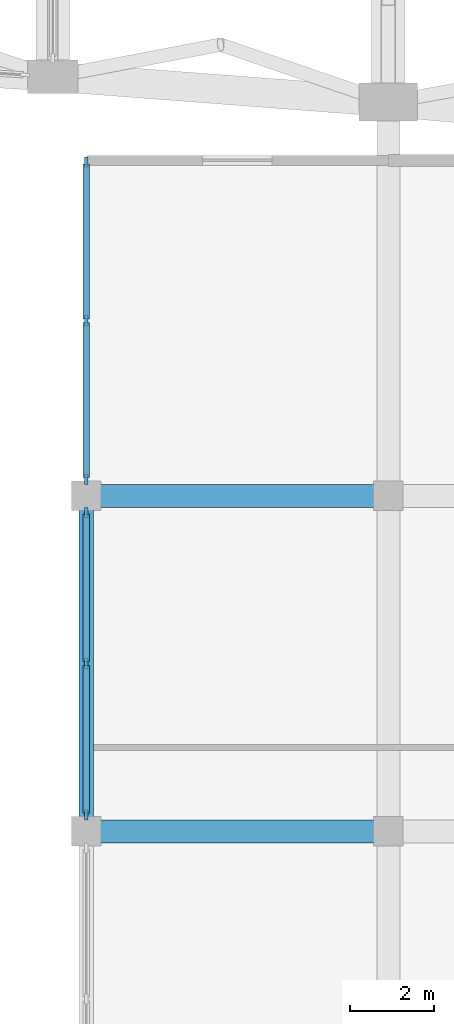
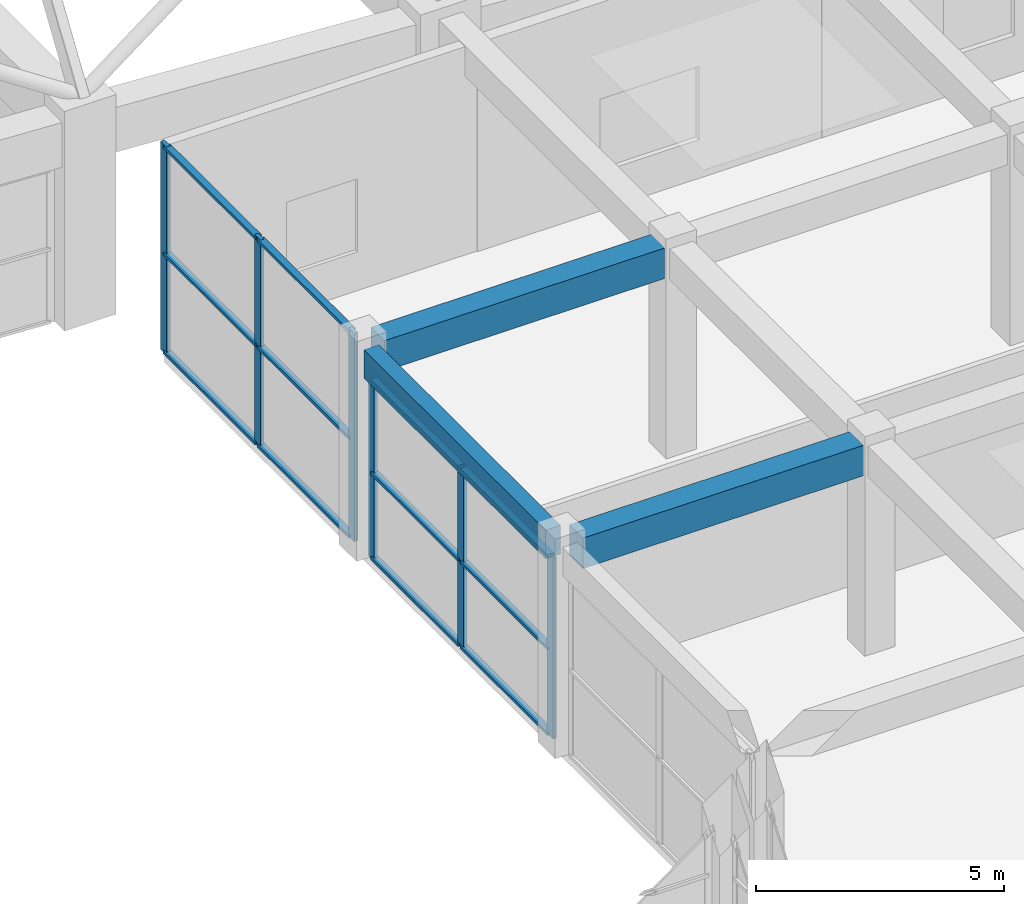
# One storey, part 19 of 69: 18 members, 3 beams, 2 elements without a shape of their own.
"""IFC4 building model written with IfcOpenShell, lengths in metres."""

from ifc_helpers import new_model, si_unit, direction, frame, origin, origin_2d, place, context, subcontext, project, spatial, rectangle, extrude, material, material_profile, profile_set, type_object, element, aggregate, save


model = new_model("IFC4")

# Units and contexts
model_context = context("Model", 3, precision=1e-05, world=origin(), true_north=direction((0.0, 1.0)))
body_context = subcontext(model_context, "Body", "Model", "MODEL_VIEW")
ifc_project = project(units=[si_unit("LENGTHUNIT", "METRE"), si_unit("AREAUNIT", "SQUARE_METRE"), si_unit("VOLUMEUNIT", "CUBIC_METRE"), si_unit("PLANEANGLEUNIT", "RADIAN"), si_unit("MASSUNIT", "GRAM", prefix="KILO")], contexts=[model_context])

# Site, building, storey
site_placement = place(None, origin())
site = spatial("IfcSite", under=ifc_project, at=site_placement, CompositionType="ELEMENT")
building_placement = place(site_placement, origin())
building = spatial("IfcBuilding", under=site, at=building_placement, Name="Kenh Van Central Station", CompositionType="ELEMENT")
storey_placement = place(building_placement, frame((0.0, 0.0, 5.39990234375)))
storey = spatial("IfcBuildingStorey", under=building, at=storey_placement, Name="L01", CompositionType="ELEMENT", Elevation=5.39990234375)

# Beams
ifc_material_1 = material(Name="Concrete C35/45", Category="concrete")
ifc_material_profile_1 = material_profile(ifc_material_1, rectangle(XDim=0.550048828125, YDim=0.75, at=origin_2d()), Name="RC 550x750")
ifc_profile_set_1 = profile_set([ifc_material_profile_1], Name="Concrete C35/45")
beam_type_1 = type_object("IfcBeamType", Name="BM-RC-550x750", PredefinedType="BEAM", material=ifc_profile_set_1)
for number, where, z_axis, x_axis, name in (
    (1, (121.139892578125, 48.0, 4.76513671875), (1.0, 0.0, 0.0), (0.0, 1.0, 0.0), "L01 beam 0717"),
    (2, (121.139892578125, 56.0, 4.76513671875), (1.0, 0.0, 0.0), (0.0, 1.0, 0.0), "L01 beam 0732"),
):
    element("IfcBeam", number, at=place(storey_placement, frame(where, z_axis=z_axis, x_axis=x_axis)), inside=storey, type_object=beam_type_1, Name=name, PredefinedType="BEAM", context=body_context, shape_type="SweptSolid", body=[
        extrude(rectangle(XDim=0.550048828125, YDim=0.75, at=origin_2d()), origin(), (0.0, 0.0, 1.0), 6.52001953125),
    ])

# Curtain wall, members
ifc_material_2 = material(Name="Champagne anodised aluminium", Category="aluminium")
curtain_wall_type = type_object("IfcCurtainWallType", Name="CW-OPER-B", PredefinedType="NOTDEFINED", material=ifc_material_2)
curtain_wall_1_placement = place(storey_placement, origin())
curtain_wall_1 = element("IfcCurtainWall", 3, at=curtain_wall_1_placement, inside=storey, type_object=curtain_wall_type, Name="L01 curtain wall 152", PredefinedType="NOTDEFINED")
ifc_material_profile_2 = material_profile(ifc_material_2, rectangle(XDim=0.087890625, YDim=0.239990234375, at=origin_2d()), Name="AL 88x240")
ifc_profile_set_2 = profile_set([ifc_material_profile_2], Name="Champagne anodised aluminium")
member_type_1 = type_object("IfcMemberType", Name="CWM-60x140", PredefinedType="MULLION", material=ifc_profile_set_2)
member_1_placement = place(storey_placement, frame((120.800048828125, 63.9560546875, 0.0), z_axis=(0.0, 0.0, 1.0), x_axis=(1.0, 0.0, 0.0)))
member_1 = element("IfcMember", 4, at=member_1_placement, type_object=member_type_1, Name="CW-08 mullion 1", PredefinedType="MULLION", context=body_context, shape_type="SweptSolid", body=[
    extrude(rectangle(XDim=0.087890625, YDim=0.239990234375, at=origin_2d()), origin(), (0.0, 0.0, 1.0), 5.1201171875),
])
member_2_placement = place(storey_placement, frame((120.800048828125, 60.175048828125, 0.0), z_axis=(0.0, 0.0, 1.0), x_axis=(1.0, 0.0, 0.0)))
member_2 = element("IfcMember", 5, at=member_2_placement, type_object=member_type_1, Name="CW-08 mullion 2", PredefinedType="MULLION", context=body_context, shape_type="SweptSolid", body=[
    extrude(rectangle(XDim=0.087890625, YDim=0.239990234375, at=origin_2d()), origin(), (0.0, 0.0, 1.0), 5.1201171875),
])
member_3_placement = place(storey_placement, frame((120.800048828125, 56.39404296875, 0.0), z_axis=(0.0, 0.0, 1.0), x_axis=(1.0, 0.0, 0.0)))
member_3 = element("IfcMember", 6, at=member_3_placement, type_object=member_type_1, Name="CW-08 mullion 3", PredefinedType="MULLION", context=body_context, shape_type="SweptSolid", body=[
    extrude(rectangle(XDim=0.087890625, YDim=0.239990234375, at=origin_2d()), origin(), (0.0, 0.0, 1.0), 5.1201171875),
])

curtain_wall_2_placement = place(storey_placement, origin())
curtain_wall_2 = element("IfcCurtainWall", 7, at=curtain_wall_2_placement, inside=storey, type_object=curtain_wall_type, Name="L01 curtain wall 153", PredefinedType="NOTDEFINED")
member_4_placement = place(storey_placement, frame((120.800048828125, 55.60595703125, 0.0), z_axis=(0.0, 0.0, 1.0), x_axis=(1.0, 0.0, 0.0)))
member_4 = element("IfcMember", 8, at=member_4_placement, type_object=member_type_1, Name="CW-08 mullion 1", PredefinedType="MULLION", context=body_context, shape_type="SweptSolid", body=[
    extrude(rectangle(XDim=0.087890625, YDim=0.239990234375, at=origin_2d()), origin(), (0.0, 0.0, 1.0), 4.440185546875),
])
member_5_placement = place(storey_placement, frame((120.800048828125, 52.0, 0.0), z_axis=(0.0, 0.0, 1.0), x_axis=(1.0, 0.0, 0.0)))
member_5 = element("IfcMember", 9, at=member_5_placement, type_object=member_type_1, Name="CW-08 mullion 2", PredefinedType="MULLION", context=body_context, shape_type="SweptSolid", body=[
    extrude(rectangle(XDim=0.087890625, YDim=0.239990234375, at=origin_2d()), origin(), (0.0, 0.0, 1.0), 4.440185546875),
])
member_6_placement = place(storey_placement, frame((120.800048828125, 48.39404296875, 0.0), z_axis=(0.0, 0.0, 1.0), x_axis=(1.0, 0.0, 0.0)))
member_6 = element("IfcMember", 10, at=member_6_placement, type_object=member_type_1, Name="CW-08 mullion 3", PredefinedType="MULLION", context=body_context, shape_type="SweptSolid", body=[
    extrude(rectangle(XDim=0.087890625, YDim=0.239990234375, at=origin_2d()), origin(), (0.0, 0.0, 1.0), 4.440185546875),
])

# Member
ifc_material_profile_3 = material_profile(ifc_material_2, rectangle(XDim=0.155029296875, YDim=0.072021484375, at=origin_2d()), Name="AL 155x72")
ifc_profile_set_3 = profile_set([ifc_material_profile_3], Name="Champagne anodised aluminium")
member_type_2 = type_object("IfcMemberType", Name="CWT-120x60", PredefinedType="USERDEFINED", material=ifc_profile_set_3)
member_7_placement = place(storey_placement, frame((120.800048828125, 63.912109375, 0.0361328125), z_axis=(0.0, -1.0, 0.0), x_axis=(1.0, 0.0, 0.0)))
member_7 = element("IfcMember", 11, at=member_7_placement, type_object=member_type_2, Name="CW-08 transom 1.1", ObjectType="TRANSOM", PredefinedType="USERDEFINED", context=body_context, shape_type="SweptSolid", body=[
    extrude(rectangle(XDim=0.155029296875, YDim=0.072021484375, at=origin_2d()), origin(), (0.0, 0.0, 1.0), 3.693115234375),
])

member_8_placement = place(storey_placement, frame((120.800048828125, 63.912109375, 2.457763671875), z_axis=(0.0, -1.0, 0.0), x_axis=(1.0, 0.0, 0.0)))
member_8 = element("IfcMember", 12, at=member_8_placement, type_object=member_type_2, Name="CW-08 transom 1.2", ObjectType="TRANSOM", PredefinedType="USERDEFINED", context=body_context, shape_type="SweptSolid", body=[
    extrude(rectangle(XDim=0.155029296875, YDim=0.072021484375, at=origin_2d()), origin(), (0.0, 0.0, 1.0), 3.693115234375),
])

member_9_placement = place(storey_placement, frame((120.800048828125, 63.912109375, 5.083984375), z_axis=(0.0, -1.0, 0.0), x_axis=(1.0, 0.0, 0.0)))
member_9 = element("IfcMember", 13, at=member_9_placement, type_object=member_type_2, Name="CW-08 transom 1.3", ObjectType="TRANSOM", PredefinedType="USERDEFINED", context=body_context, shape_type="SweptSolid", body=[
    extrude(rectangle(XDim=0.155029296875, YDim=0.072021484375, at=origin_2d()), origin(), (0.0, 0.0, 1.0), 3.693115234375),
])

member_10_placement = place(storey_placement, frame((120.800048828125, 60.131103515625, 0.0361328125), z_axis=(0.0, -1.0, 0.0), x_axis=(1.0, 0.0, 0.0)))
member_10 = element("IfcMember", 14, at=member_10_placement, type_object=member_type_2, Name="CW-08 transom 2.1", ObjectType="TRANSOM", PredefinedType="USERDEFINED", context=body_context, shape_type="SweptSolid", body=[
    extrude(rectangle(XDim=0.155029296875, YDim=0.072021484375, at=origin_2d()), origin(), (0.0, 0.0, 1.0), 3.693115234375),
])

member_11_placement = place(storey_placement, frame((120.800048828125, 60.131103515625, 2.457763671875), z_axis=(0.0, -1.0, 0.0), x_axis=(1.0, 0.0, 0.0)))
member_11 = element("IfcMember", 15, at=member_11_placement, type_object=member_type_2, Name="CW-08 transom 2.2", ObjectType="TRANSOM", PredefinedType="USERDEFINED", context=body_context, shape_type="SweptSolid", body=[
    extrude(rectangle(XDim=0.155029296875, YDim=0.072021484375, at=origin_2d()), origin(), (0.0, 0.0, 1.0), 3.693115234375),
])

member_12_placement = place(storey_placement, frame((120.800048828125, 60.131103515625, 5.083984375), z_axis=(0.0, -1.0, 0.0), x_axis=(1.0, 0.0, 0.0)))
member_12 = element("IfcMember", 16, at=member_12_placement, type_object=member_type_2, Name="CW-08 transom 2.3", ObjectType="TRANSOM", PredefinedType="USERDEFINED", context=body_context, shape_type="SweptSolid", body=[
    extrude(rectangle(XDim=0.155029296875, YDim=0.072021484375, at=origin_2d()), origin(), (0.0, 0.0, 1.0), 3.693115234375),
])

aggregate(curtain_wall_1, [member_1, member_2, member_3, member_7, member_8, member_9, member_10, member_11, member_12])

member_13_placement = place(storey_placement, frame((120.800048828125, 55.56201171875, 0.0361328125), z_axis=(0.0, -1.0, 0.0), x_axis=(1.0, 0.0, 0.0)))
member_13 = element("IfcMember", 17, at=member_13_placement, type_object=member_type_2, Name="CW-08 transom 1.1", ObjectType="TRANSOM", PredefinedType="USERDEFINED", context=body_context, shape_type="SweptSolid", body=[
    extrude(rectangle(XDim=0.155029296875, YDim=0.072021484375, at=origin_2d()), origin(), (0.0, 0.0, 1.0), 3.51806640625),
])

member_14_placement = place(storey_placement, frame((120.800048828125, 55.56201171875, 2.13134765625), z_axis=(0.0, -1.0, 0.0), x_axis=(1.0, 0.0, 0.0)))
member_14 = element("IfcMember", 18, at=member_14_placement, type_object=member_type_2, Name="CW-08 transom 1.2", ObjectType="TRANSOM", PredefinedType="USERDEFINED", context=body_context, shape_type="SweptSolid", body=[
    extrude(rectangle(XDim=0.155029296875, YDim=0.072021484375, at=origin_2d()), origin(), (0.0, 0.0, 1.0), 3.51806640625),
])

member_15_placement = place(storey_placement, frame((120.800048828125, 55.56201171875, 4.404052734375), z_axis=(0.0, -1.0, 0.0), x_axis=(1.0, 0.0, 0.0)))
member_15 = element("IfcMember", 19, at=member_15_placement, type_object=member_type_2, Name="CW-08 transom 1.3", ObjectType="TRANSOM", PredefinedType="USERDEFINED", context=body_context, shape_type="SweptSolid", body=[
    extrude(rectangle(XDim=0.155029296875, YDim=0.072021484375, at=origin_2d()), origin(), (0.0, 0.0, 1.0), 3.51806640625),
])

member_16_placement = place(storey_placement, frame((120.800048828125, 51.9560546875, 0.0361328125), z_axis=(0.0, -1.0, 0.0), x_axis=(1.0, 0.0, 0.0)))
member_16 = element("IfcMember", 20, at=member_16_placement, type_object=member_type_2, Name="CW-08 transom 2.1", ObjectType="TRANSOM", PredefinedType="USERDEFINED", context=body_context, shape_type="SweptSolid", body=[
    extrude(rectangle(XDim=0.155029296875, YDim=0.072021484375, at=origin_2d()), origin(), (0.0, 0.0, 1.0), 3.51806640625),
])

member_17_placement = place(storey_placement, frame((120.800048828125, 51.9560546875, 2.13134765625), z_axis=(0.0, -1.0, 0.0), x_axis=(1.0, 0.0, 0.0)))
member_17 = element("IfcMember", 21, at=member_17_placement, type_object=member_type_2, Name="CW-08 transom 2.2", ObjectType="TRANSOM", PredefinedType="USERDEFINED", context=body_context, shape_type="SweptSolid", body=[
    extrude(rectangle(XDim=0.155029296875, YDim=0.072021484375, at=origin_2d()), origin(), (0.0, 0.0, 1.0), 3.51806640625),
])

member_18_placement = place(storey_placement, frame((120.800048828125, 51.9560546875, 4.404052734375), z_axis=(0.0, -1.0, 0.0), x_axis=(1.0, 0.0, 0.0)))
member_18 = element("IfcMember", 22, at=member_18_placement, type_object=member_type_2, Name="CW-08 transom 2.3", ObjectType="TRANSOM", PredefinedType="USERDEFINED", context=body_context, shape_type="SweptSolid", body=[
    extrude(rectangle(XDim=0.155029296875, YDim=0.072021484375, at=origin_2d()), origin(), (0.0, 0.0, 1.0), 3.51806640625),
])

aggregate(curtain_wall_2, [member_4, member_5, member_6, member_13, member_14, member_15, member_16, member_17, member_18])

# Beam
ifc_material_profile_4 = material_profile(ifc_material_1, rectangle(XDim=0.35009765625, YDim=0.699951171875, at=origin_2d()), Name="RC 350x700")
ifc_profile_set_4 = profile_set([ifc_material_profile_4], Name="Concrete C35/45")
beam_type_2 = type_object("IfcBeamType", Name="SPD-RC-350x700", PredefinedType="SPANDREL", material=ifc_profile_set_4)
beam_placement = place(storey_placement, frame((120.800048828125, 48.340087890625, 4.7900390625), z_axis=(0.0, 1.0, 0.0), x_axis=(-1.0, 0.0, 0.0)))
element("IfcBeam", 23, at=beam_placement, inside=storey, type_object=beam_type_2, Name="L01 beam 0847", PredefinedType="SPANDREL", context=body_context, shape_type="SweptSolid", body=[
    extrude(rectangle(XDim=0.35009765625, YDim=0.699951171875, at=origin_2d()), origin(), (0.0, 0.0, 1.0), 7.31982421875),
])

save(model, "model.ifc")
